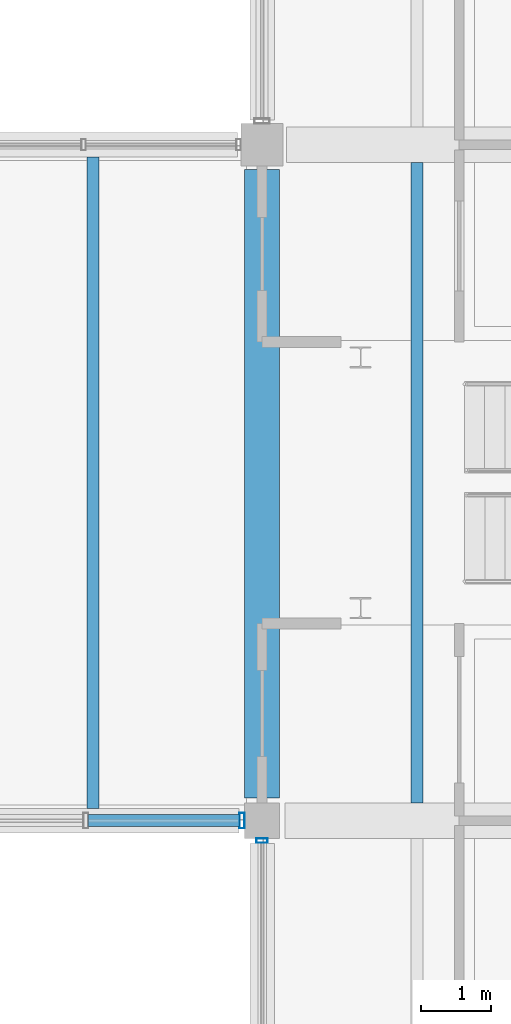
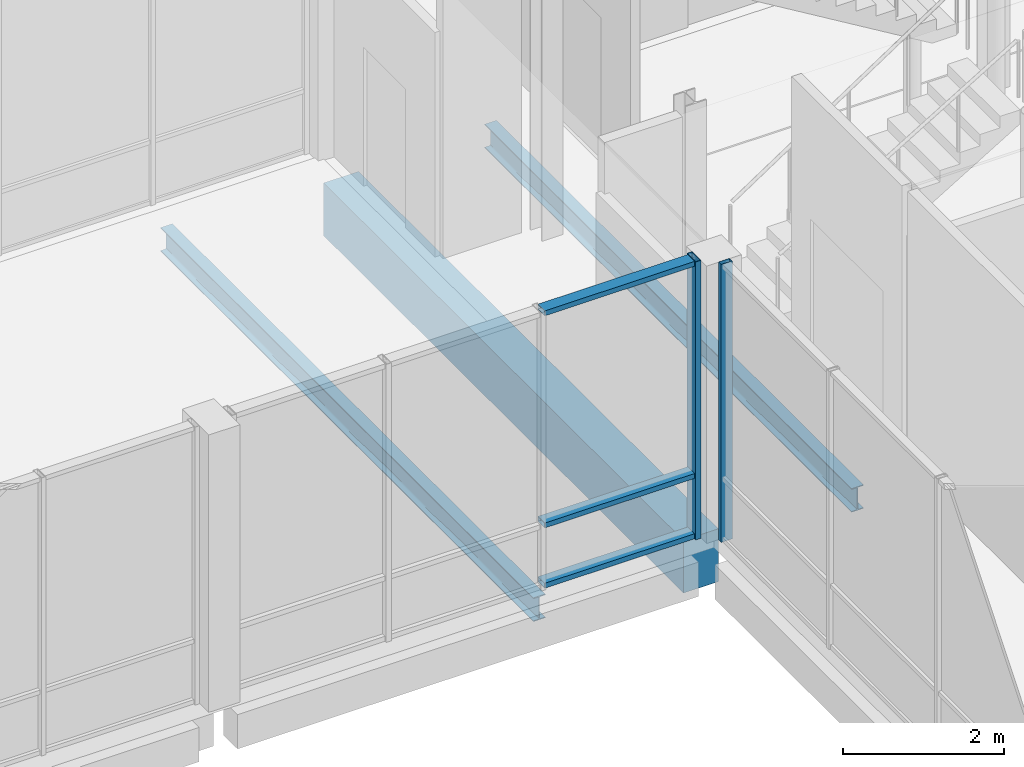
# One storey, part 29 of 104: 5 members, 3 beams, 2 elements without a shape of their own.
"""IFC4 building model written with IfcOpenShell, lengths in metres."""

from ifc_helpers import new_model, si_unit, direction, frame, origin, origin_2d, place, context, subcontext, project, spatial, rectangle, hollow_rectangle, i_section, extrude, material, material_profile, profile_set, type_object, element, aggregate, save


model = new_model("IFC4")

# Units and contexts
model_context = context("Model", 3, precision=1e-05, world=origin(), true_north=direction((0.0, 1.0)))
body_context = subcontext(model_context, "Body", "Model", "MODEL_VIEW")
ifc_project = project(units=[si_unit("LENGTHUNIT", "METRE"), si_unit("AREAUNIT", "SQUARE_METRE"), si_unit("VOLUMEUNIT", "CUBIC_METRE"), si_unit("PLANEANGLEUNIT", "RADIAN"), si_unit("MASSUNIT", "GRAM", prefix="KILO")], contexts=[model_context])

# Site, building, storey
site_placement = place(None, origin())
site = spatial("IfcSite", under=ifc_project, at=site_placement, CompositionType="ELEMENT")
building_placement = place(site_placement, origin())
building = spatial("IfcBuilding", under=site, at=building_placement, Name="Hawrajan Terrace Health Centre", CompositionType="ELEMENT")
storey_placement = place(building_placement, origin())
storey = spatial("IfcBuildingStorey", under=building, at=storey_placement, Name="L00", CompositionType="ELEMENT", Elevation=0.0)

# Curtain wall, member
ifc_material_1 = material(Name="Anodized bronze aluminium and low-E solar glazing", Category="aluminium")
curtain_wall_type_1 = type_object("IfcCurtainWallType", Name="CW_Court_SeriesB3", PredefinedType="USERDEFINED", material=ifc_material_1)
curtain_wall_1_placement = place(storey_placement, origin())
curtain_wall_1 = element("IfcCurtainWall", 1, at=curtain_wall_1_placement, inside=storey, type_object=curtain_wall_type_1, Name="Curtain wall CW-L00-030", ObjectType="UNITISED CURTAIN WALL", PredefinedType="USERDEFINED")
ifc_material_2 = material(Name="Anodized bronze aluminium 6063-T6", Category="aluminium")
ifc_material_profile_1 = material_profile(ifc_material_2, hollow_rectangle(XDim=0.06494140625, YDim=0.159912109375, WallThickness=0.00390625, at=origin_2d()), Name="CW MUL 65x160")
ifc_profile_set_1 = profile_set([ifc_material_profile_1], Name="Anodized bronze aluminium 6063-T6")
member_type_1 = type_object("IfcMemberType", Name="CWMullion_65x160", PredefinedType="MULLION", material=ifc_profile_set_1)
member_1_placement = place(storey_placement, frame((62.199951171875, 26.91748046875, -0.0048828125), z_axis=(0.0, 0.0, 1.0), x_axis=(0.0, 1.0, 0.0)))
member_1 = element("IfcMember", 2, at=member_1_placement, type_object=member_type_1, Name="Mullion CW-L00-030-M4", PredefinedType="MULLION", context=body_context, shape_type="SweptSolid", body=[
    extrude(hollow_rectangle(XDim=0.06494140625, YDim=0.159912109375, WallThickness=0.00390625, at=origin_2d()), origin(), (0.0, 0.0, 1.0), 4.2099609375),
])
aggregate(curtain_wall_1, [member_1])

# Curtain wall, members
curtain_wall_type_2 = type_object("IfcCurtainWallType", Name="CW_Court_SeriesA2", PredefinedType="USERDEFINED", material=ifc_material_1)
curtain_wall_2_placement = place(storey_placement, origin())
curtain_wall_2 = element("IfcCurtainWall", 3, at=curtain_wall_2_placement, inside=storey, type_object=curtain_wall_type_2, Name="Curtain wall CW-L00-026", ObjectType="UNITISED CURTAIN WALL", PredefinedType="USERDEFINED")
ifc_material_profile_2 = material_profile(ifc_material_2, hollow_rectangle(XDim=0.074951171875, YDim=0.219970703125, WallThickness=0.0048828125, at=origin_2d()), Name="CW MUL 75x220")
ifc_profile_set_2 = profile_set([ifc_material_profile_2], Name="Anodized bronze aluminium 6063-T6")
member_type_2 = type_object("IfcMemberType", Name="CWMullion_75x220", PredefinedType="MULLION", material=ifc_profile_set_2)
member_2_placement = place(storey_placement, frame((61.91259765625, 27.199951171875, -0.0048828125), z_axis=(0.0, 0.0, 1.0), x_axis=(1.0, 0.0, 0.0)))
member_2 = element("IfcMember", 4, at=member_2_placement, type_object=member_type_2, Name="Mullion CW-L00-026-M4", PredefinedType="MULLION", context=body_context, shape_type="SweptSolid", body=[
    extrude(hollow_rectangle(XDim=0.074951171875, YDim=0.219970703125, WallThickness=0.0048828125, at=origin_2d()), origin(), (0.0, 0.0, 1.0), 4.2099609375),
])
ifc_material_profile_3 = material_profile(ifc_material_2, hollow_rectangle(XDim=0.074951171875, YDim=0.169921875, WallThickness=0.00439453125, at=origin_2d()), Name="CW TRN 75x170")
ifc_profile_set_3 = profile_set([ifc_material_profile_3], Name="Anodized bronze aluminium 6063-T6")
member_type_3 = type_object("IfcMemberType", Name="CWTransom_75x170", PredefinedType="USERDEFINED", material=ifc_profile_set_3)
member_3_placement = place(storey_placement, frame((59.727294921875, 27.199951171875, 0.03759765625), z_axis=(1.0, 0.0, 0.0), x_axis=(0.0, 0.0, 1.0)))
member_3 = element("IfcMember", 5, at=member_3_placement, type_object=member_type_3, Name="Transom CW-L00-026-T3-1", ObjectType="TRANSOM", PredefinedType="USERDEFINED", context=body_context, shape_type="SweptSolid", body=[
    extrude(hollow_rectangle(XDim=0.074951171875, YDim=0.169921875, WallThickness=0.00439453125, at=origin_2d()), origin(), (0.0, 0.0, 1.0), 2.15380859375),
])
member_4_placement = place(storey_placement, frame((59.727294921875, 27.199951171875, 0.949951171875), z_axis=(1.0, 0.0, 0.0), x_axis=(0.0, 0.0, 1.0)))
member_4 = element("IfcMember", 6, at=member_4_placement, type_object=member_type_3, Name="Transom CW-L00-026-T3-2", ObjectType="TRANSOM", PredefinedType="USERDEFINED", context=body_context, shape_type="SweptSolid", body=[
    extrude(hollow_rectangle(XDim=0.074951171875, YDim=0.169921875, WallThickness=0.00439453125, at=origin_2d()), origin(), (0.0, 0.0, 1.0), 2.15380859375),
])
member_5_placement = place(storey_placement, frame((59.727294921875, 27.199951171875, 4.16259765625), z_axis=(1.0, 0.0, 0.0), x_axis=(0.0, 0.0, 1.0)))
member_5 = element("IfcMember", 7, at=member_5_placement, type_object=member_type_3, Name="Transom CW-L00-026-T3-3", ObjectType="TRANSOM", PredefinedType="USERDEFINED", context=body_context, shape_type="SweptSolid", body=[
    extrude(hollow_rectangle(XDim=0.074951171875, YDim=0.169921875, WallThickness=0.00439453125, at=origin_2d()), origin(), (0.0, 0.0, 1.0), 2.15380859375),
])
aggregate(curtain_wall_2, [member_2, member_3, member_4, member_5])

# Beams
ifc_material_3 = material(Name="Concrete C40/50", Category="concrete")
ifc_material_profile_4 = material_profile(ifc_material_3, rectangle(XDim=0.5, YDim=0.800048828125, at=origin_2d()), Name="RC BM 500x800")
ifc_profile_set_4 = profile_set([ifc_material_profile_4], Name="Concrete C40/50")
beam_type_1 = type_object("IfcBeamType", Name="RCGirder_500x800", PredefinedType="BEAM", material=ifc_profile_set_4)
beam_1_placement = place(storey_placement, frame((62.199951171875, 27.52490234375, -0.699951171875), z_axis=(0.0, 1.0, 0.0), x_axis=(-1.0, 0.0, 0.0)))
element("IfcBeam", 8, at=beam_1_placement, inside=storey, type_object=beam_type_1, Name="Beam BM-Y-L00-W-X09-4", PredefinedType="BEAM", context=body_context, shape_type="SweptSolid", body=[
    extrude(rectangle(XDim=0.5, YDim=0.800048828125, at=origin_2d()), origin(), (0.0, 0.0, 1.0), 8.925048828125),
])
ifc_material_4 = material(Name="Steel S355", Category="steel")
ifc_material_profile_5 = material_profile(ifc_material_4, i_section(OverallWidth=0.169921875, OverallDepth=0.360107421875, WebThickness=0.008056640625, FlangeThickness=0.0126953125, FilletRadius=0.01806640625, at=origin_2d()), Name="IPE 360")
ifc_profile_set_5 = profile_set([ifc_material_profile_5], Name="Steel S355")
beam_type_2 = type_object("IfcBeamType", Name="SteelBeam_IPE360", PredefinedType="BEAM", material=ifc_profile_set_5)
beam_2_placement = place(storey_placement, frame((59.800048828125, 27.375, -0.47998046875), z_axis=(0.0, 1.0, 0.0), x_axis=(-1.0, 0.0, 0.0)))
element("IfcBeam", 9, at=beam_2_placement, inside=storey, type_object=beam_type_2, Name="Secondary joist JST-L00-W-08-4-2", PredefinedType="BEAM", context=body_context, shape_type="SweptSolid", body=[
    extrude(i_section(OverallWidth=0.169921875, OverallDepth=0.360107421875, WebThickness=0.008056640625, FlangeThickness=0.0126953125, FilletRadius=0.01806640625, at=origin_2d()), origin(), (0.0, 0.0, 1.0), 9.25),
])
beam_3_placement = place(storey_placement, frame((64.39990234375, 27.449951171875, -0.47998046875), z_axis=(0.0, 1.0, 0.0), x_axis=(-1.0, 0.0, 0.0)))
element("IfcBeam", 10, at=beam_3_placement, inside=storey, type_object=beam_type_2, Name="Secondary joist JST-L00-W-09-4-1", PredefinedType="BEAM", context=body_context, shape_type="SweptSolid", body=[
    extrude(i_section(OverallWidth=0.169921875, OverallDepth=0.360107421875, WebThickness=0.008056640625, FlangeThickness=0.0126953125, FilletRadius=0.01806640625, at=origin_2d()), origin(), (0.0, 0.0, 1.0), 9.10009765625),
])

save(model, "model.ifc")
